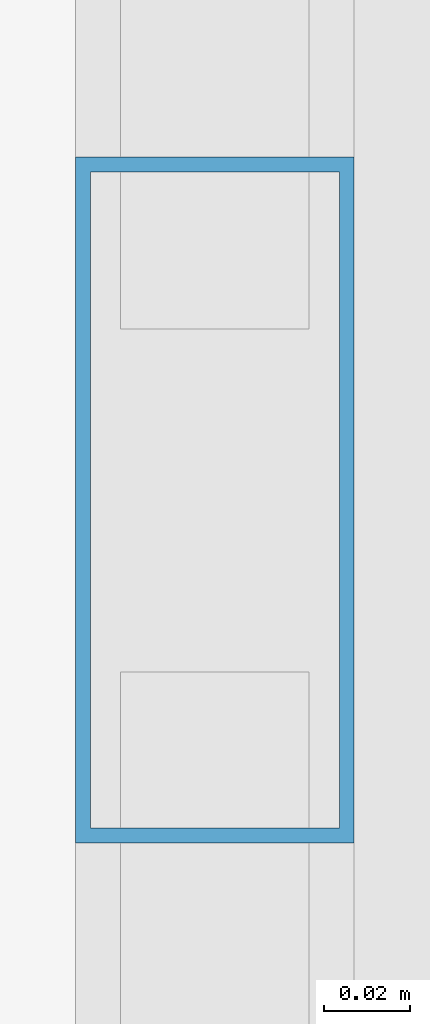
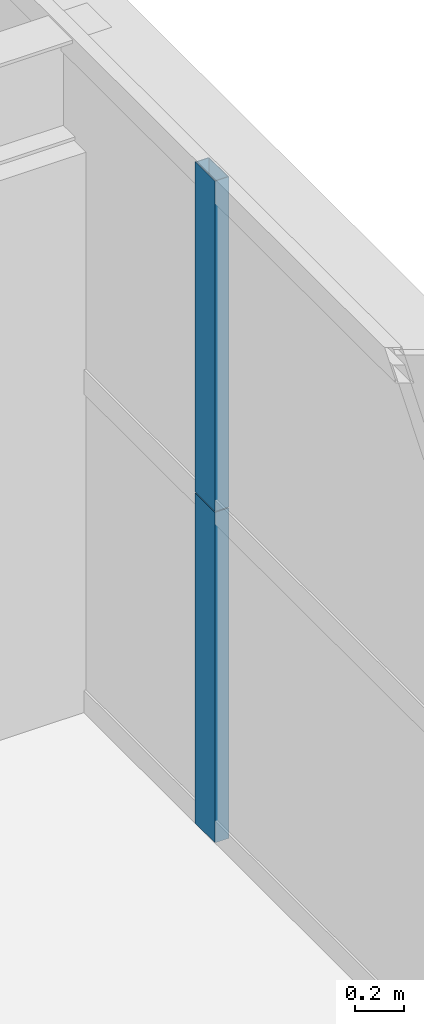
# One storey, part 21 of 42: 2 members, 1 element without a shape of its own.
"""IFC4 building model written with IfcOpenShell, lengths in metres."""

from ifc_helpers import new_model, si_unit, direction, frame, origin, origin_2d, place, context, subcontext, project, spatial, hollow_rectangle, extrude, source, transform, mapped, material, layer, layer_set, material_profile, profile_set, type_object, element, aggregate, save


model = new_model("IFC4")

# Units and contexts
model_context = context("Model", 3, precision=1e-05, world=origin(), true_north=direction((0.0, 1.0)))
body_context = subcontext(model_context, "Body", "Model", "MODEL_VIEW")
ifc_project = project(units=[si_unit("LENGTHUNIT", "METRE"), si_unit("AREAUNIT", "SQUARE_METRE"), si_unit("VOLUMEUNIT", "CUBIC_METRE"), si_unit("PLANEANGLEUNIT", "RADIAN"), si_unit("MASSUNIT", "GRAM", prefix="KILO"), si_unit("THERMODYNAMICTEMPERATUREUNIT", "KELVIN"), si_unit("POWERUNIT", "WATT")], contexts=[model_context])

# Site, building, storey
site_placement = place(None, origin())
site = spatial("IfcSite", under=ifc_project, at=site_placement, CompositionType="ELEMENT")
building_placement = place(site_placement, origin())
building = spatial("IfcBuilding", under=site, at=building_placement, Name="Yuzanri Waterfront Tower", CompositionType="ELEMENT")
storey_placement = place(building_placement, frame((0.0, 0.0, 184.5)))
storey = spatial("IfcBuildingStorey", under=building, at=storey_placement, Name="L48", CompositionType="ELEMENT", Elevation=184.5)

# Curtain wall, members
ifc_material_1 = material(Name="Anodized Architectural Bronze", Category="metal")
ifc_layer = layer(ifc_material_1, 0.159912109375)
ifc_layer_set = layer_set([ifc_layer], Name="Anodized Architectural Bronze")
curtain_wall_type = type_object("IfcCurtainWallType", Name="Anodized Bronze Mid-Rise Residential Acoustic Unitized Curtain Wall 7200", PredefinedType="NOTDEFINED", material=ifc_layer_set)
curtain_wall_placement = place(storey_placement, origin())
curtain_wall = element("IfcCurtainWall", 1, at=curtain_wall_placement, inside=storey, type_object=curtain_wall_type, Name="L48 Curtain Wall CW-L48-EL", PredefinedType="NOTDEFINED")
ifc_material_2 = material(Name="Anodized Architectural Bronze", Category="metal")
ifc_material_profile = material_profile(ifc_material_2, hollow_rectangle(XDim=0.06494140625, YDim=0.159912109375, WallThickness=0.00341796875, at=origin_2d()), Name="CWM 65x160")
ifc_profile_set = profile_set([ifc_material_profile], Name="Anodized Architectural Bronze")
member_type = type_object("IfcMemberType", Name="Anodized Bronze Upper-Zone Curtain-Wall Mullion 65x160", PredefinedType="MULLION", material=ifc_profile_set)
shared_shape = source(origin(), body_context, "Body", "SweptSolid", [
    extrude(hollow_rectangle(XDim=0.06494140625, YDim=0.159912109375, WallThickness=0.00341796875, at=origin_2d()), origin(), (0.0, 0.0, 1.0), 1.637939453125),
])
member_1_placement = place(storey_placement, frame((58.949951171875, 18.22509765625, 0.0), z_axis=(0.0, 0.0, 1.0), x_axis=(1.0, 0.0, 0.0)))
member_1 = element("IfcMember", 2, at=member_1_placement, type_object=member_type, Name="CW-L48-EL Lower Mullion 01", PredefinedType="MULLION", context=body_context, shape_type="MappedRepresentation", body=[
    mapped(shared_shape, transform((0.0, 0.0, 0.0), scale=1.0)),
])
member_2_placement = place(storey_placement, frame((58.949951171875, 18.22509765625, 1.64208984375), z_axis=(0.0, 0.0, 1.0), x_axis=(1.0, 0.0, 0.0)))
member_2 = element("IfcMember", 3, at=member_2_placement, type_object=member_type, Name="CW-L48-EL Upper Mullion 01", PredefinedType="MULLION", context=body_context, shape_type="MappedRepresentation", body=[
    mapped(shared_shape, transform((0.0, 0.0, 0.0), scale=1.0)),
])
aggregate(curtain_wall, [member_1, member_2])

save(model, "model.ifc")
